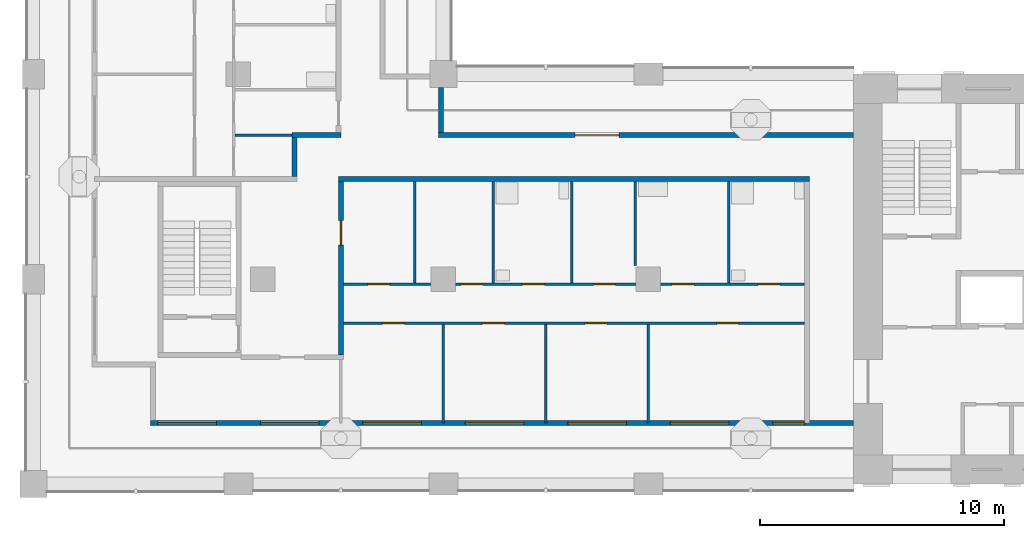
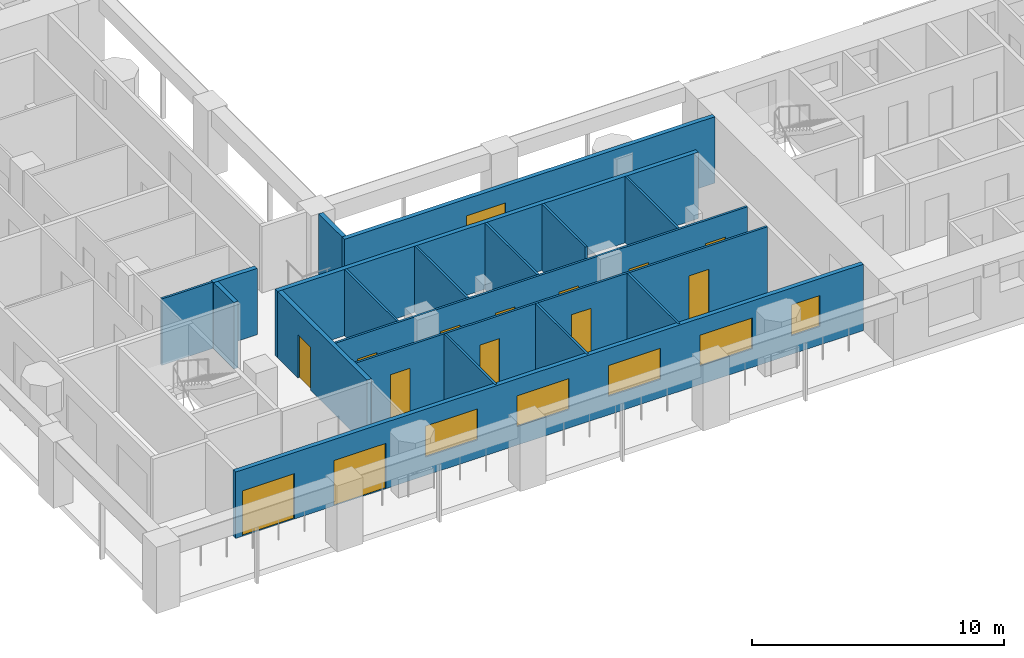
# One storey, part 2 of 13: 18 walls, 14 doors, 5 windows, 19 openings.
"""IFC4 building model written with IfcOpenShell, lengths in metres."""

from ifc_helpers import new_model, si_unit, direction, frame, frame_2d, origin, place, context, subcontext, project, spatial, rectangle, extrude, material, layer, layer_set, type_object, element, fill, save


model = new_model("IFC4")

# Units and contexts
model_context = context("Model", 3, precision=1e-05, world=origin(), true_north=direction((0.0, 1.0)))
body_context = subcontext(model_context, "Body", "Model", "MODEL_VIEW")
ifc_project = project(units=[si_unit("LENGTHUNIT", "METRE"), si_unit("AREAUNIT", "SQUARE_METRE"), si_unit("VOLUMEUNIT", "CUBIC_METRE"), si_unit("PLANEANGLEUNIT", "RADIAN"), si_unit("MASSUNIT", "GRAM", prefix="KILO")], contexts=[model_context])

# Site, building, storey
site_placement = place(None, origin())
site = spatial("IfcSite", under=ifc_project, at=site_placement, CompositionType="ELEMENT")
building_placement = place(site_placement, origin())
building = spatial("IfcBuilding", under=site, at=building_placement, Name="Vermilion Gate Residences", CompositionType="ELEMENT")
storey_placement = place(building_placement, frame((0.0, 0.0, 154.699951171875)))
storey = spatial("IfcBuildingStorey", under=building, at=storey_placement, Name="L39", CompositionType="ELEMENT", Elevation=154.699951171875)

# Wall, openings, doors, windows
ifc_material_1 = material(Name="Insulated steel stud wall with terracotta rainscreen", Category="masonry")
ifc_layer_1 = layer(ifc_material_1, 0.199951171875)
ifc_layer_set_1 = layer_set([ifc_layer_1], Name="EXTERNAL WALL 200 TERRACOTTA RAINSCREEN")
wall_type_1 = type_object("IfcWallType", Name="EXTERNAL WALL 200 TERRACOTTA RAINSCREEN", PredefinedType="SOLIDWALL", material=ifc_layer_set_1)
wall_1_placement = place(storey_placement, frame((13.199951171875, 10.89990234375, 0.0), z_axis=(0.0, 0.0, 1.0), x_axis=(1.0, 0.0, 0.0)))
wall_1 = element("IfcWall", 1, at=wall_1_placement, inside=storey, type_object=wall_type_1, Name="External wall", PredefinedType="SOLIDWALL", context=body_context, shape_type="SweptSolid", body=[
    extrude(rectangle(XDim=28.800048828125, YDim=0.199951171875, at=frame_2d((14.39990234375, 0.0))), origin(), (0.0, 0.0, 1.0), 3.219970703125),
])
opening_1_placement = place(wall_1_placement, frame((0.300048828125, 0.0, 0.0)))
opening_1 = element("IfcOpeningElement", 2, at=opening_1_placement, cuts=wall_1, Name="Opening DE39008", PredefinedType="OPENING", context=body_context, shape_type="SweptSolid", body=[
    extrude(rectangle(XDim=2.39990234375, YDim=2.199951171875, at=frame_2d((1.199951171875, 1.10009765625))), frame((0.0, 0.10986328125, 0.0), z_axis=(0.0, -1.0, 0.0), x_axis=(1.0, 0.0, 0.0)), (0.0, 0.0, 1.0), 0.219970703125),
])
opening_2_placement = place(wall_1_placement, frame((4.5, 0.0, 0.0)))
opening_2 = element("IfcOpeningElement", 3, at=opening_2_placement, cuts=wall_1, Name="Opening DE39009", PredefinedType="OPENING", context=body_context, shape_type="SweptSolid", body=[
    extrude(rectangle(XDim=2.39990234375, YDim=2.199951171875, at=frame_2d((1.199951171875, 1.10009765625))), frame((0.0, 0.10986328125, 0.0), z_axis=(0.0, -1.0, 0.0), x_axis=(1.0, 0.0, 0.0)), (0.0, 0.0, 1.0), 0.219970703125),
])
opening_3_placement = place(wall_1_placement, frame((8.699951171875, 0.0, 0.89990234375)))
opening_3 = element("IfcOpeningElement", 4, at=opening_3_placement, cuts=wall_1, Name="Opening WE39010", PredefinedType="OPENING", context=body_context, shape_type="SweptSolid", body=[
    extrude(rectangle(XDim=2.39990234375, YDim=1.5, at=frame_2d((1.199951171875, 0.75))), frame((0.0, 0.10986328125, 0.0), z_axis=(0.0, -1.0, 0.0), x_axis=(1.0, 0.0, 0.0)), (0.0, 0.0, 1.0), 0.219970703125),
])
opening_4_placement = place(wall_1_placement, frame((12.89990234375, 0.0, 0.89990234375)))
opening_4 = element("IfcOpeningElement", 5, at=opening_4_placement, cuts=wall_1, Name="Opening WE39011", PredefinedType="OPENING", context=body_context, shape_type="SweptSolid", body=[
    extrude(rectangle(XDim=2.39990234375, YDim=1.5, at=frame_2d((1.199951171875, 0.75))), frame((0.0, 0.10986328125, 0.0), z_axis=(0.0, -1.0, 0.0), x_axis=(1.0, 0.0, 0.0)), (0.0, 0.0, 1.0), 0.219970703125),
])
opening_5_placement = place(wall_1_placement, frame((17.10009765625, 0.0, 0.89990234375)))
opening_5 = element("IfcOpeningElement", 6, at=opening_5_placement, cuts=wall_1, Name="Opening WE39012", PredefinedType="OPENING", context=body_context, shape_type="SweptSolid", body=[
    extrude(rectangle(XDim=2.39990234375, YDim=1.5, at=frame_2d((1.199951171875, 0.75))), frame((0.0, 0.10986328125, 0.0), z_axis=(0.0, -1.0, 0.0), x_axis=(1.0, 0.0, 0.0)), (0.0, 0.0, 1.0), 0.219970703125),
])
opening_6_placement = place(wall_1_placement, frame((21.300048828125, 0.0, 0.89990234375)))
opening_6 = element("IfcOpeningElement", 7, at=opening_6_placement, cuts=wall_1, Name="Opening WE39013", PredefinedType="OPENING", context=body_context, shape_type="SweptSolid", body=[
    extrude(rectangle(XDim=2.39990234375, YDim=1.5, at=frame_2d((1.199951171875, 0.75))), frame((0.0, 0.10986328125, 0.0), z_axis=(0.0, -1.0, 0.0), x_axis=(1.0, 0.0, 0.0)), (0.0, 0.0, 1.0), 0.219970703125),
])
opening_7_placement = place(wall_1_placement, frame((25.5, 0.0, 0.89990234375)))
opening_7 = element("IfcOpeningElement", 8, at=opening_7_placement, cuts=wall_1, Name="Opening WE39014", PredefinedType="OPENING", context=body_context, shape_type="SweptSolid", body=[
    extrude(rectangle(XDim=1.300048828125, YDim=1.5, at=frame_2d((0.64990234375, 0.75))), frame((0.0, 0.10986328125, 0.0), z_axis=(0.0, -1.0, 0.0), x_axis=(1.0, 0.0, 0.0)), (0.0, 0.0, 1.0), 0.219970703125),
])
ifc_material_2 = material(Name="Aluminium and clear glass", Category="aluminium")
door_type_1 = type_object("IfcDoorType", Name="SLIDING GLAZED DOOR 2400 X 2200", OperationType="DOUBLE_DOOR_SLIDING", PredefinedType="DOOR", material=ifc_material_2)
door_1_placement = place(opening_1_placement, origin())
door_1 = element("IfcDoor", 9, at=door_1_placement, inside=storey, type_object=door_type_1, Name="Loggia sliding door", OperationType="DOUBLE_DOOR_SLIDING", OverallHeight=2.199951171875, OverallWidth=2.39990234375, PredefinedType="DOOR", context=body_context, shape_type="SweptSolid", body=[
    extrude(rectangle(XDim=2.39990234375, YDim=2.199951171875, at=frame_2d((1.199951171875, 1.10009765625))), frame((0.0, 0.02490234375, 0.0), z_axis=(0.0, -1.0, 0.0), x_axis=(1.0, 0.0, 0.0)), (0.0, 0.0, 1.0), 0.050048828125),
])
fill(opening_1, door_1)
door_2_placement = place(opening_2_placement, origin())
door_2 = element("IfcDoor", 10, at=door_2_placement, inside=storey, type_object=door_type_1, Name="Loggia sliding door", OperationType="DOUBLE_DOOR_SLIDING", OverallHeight=2.199951171875, OverallWidth=2.39990234375, PredefinedType="DOOR", context=body_context, shape_type="SweptSolid", body=[
    extrude(rectangle(XDim=2.39990234375, YDim=2.199951171875, at=frame_2d((1.199951171875, 1.10009765625))), frame((0.0, 0.02490234375, 0.0), z_axis=(0.0, -1.0, 0.0), x_axis=(1.0, 0.0, 0.0)), (0.0, 0.0, 1.0), 0.050048828125),
])
fill(opening_2, door_2)
ifc_material_3 = material(Name="Aluminium and clear glass", Category="aluminium")
window_type_1 = type_object("IfcWindowType", Name="WINDOW 1300 X 1500", PartitioningType="SINGLE_PANEL", PredefinedType="WINDOW", material=ifc_material_3)
window_1_placement = place(opening_7_placement, origin())
window_1 = element("IfcWindow", 11, at=window_1_placement, inside=storey, type_object=window_type_1, Name="Window", OverallHeight=1.5, OverallWidth=1.300048828125, PartitioningType="SINGLE_PANEL", PredefinedType="WINDOW", context=body_context, shape_type="SweptSolid", body=[
    extrude(rectangle(XDim=1.300048828125, YDim=1.5, at=frame_2d((0.64990234375, 0.75))), frame((0.0, 0.030029296875, 0.0), z_axis=(0.0, -1.0, 0.0), x_axis=(1.0, 0.0, 0.0)), (0.0, 0.0, 1.0), 0.06005859375),
])
fill(opening_7, window_1)
ifc_material_4 = material(Name="Aluminium and clear glass", Category="aluminium")
window_type_2 = type_object("IfcWindowType", Name="WINDOW 2400 X 1500", PartitioningType="SINGLE_PANEL", PredefinedType="WINDOW", material=ifc_material_4)
window_2_placement = place(opening_3_placement, origin())
window_2 = element("IfcWindow", 12, at=window_2_placement, inside=storey, type_object=window_type_2, Name="Window", OverallHeight=1.5, OverallWidth=2.39990234375, PartitioningType="SINGLE_PANEL", PredefinedType="WINDOW", context=body_context, shape_type="SweptSolid", body=[
    extrude(rectangle(XDim=2.39990234375, YDim=1.5, at=frame_2d((1.199951171875, 0.75))), frame((0.0, 0.030029296875, 0.0), z_axis=(0.0, -1.0, 0.0), x_axis=(1.0, 0.0, 0.0)), (0.0, 0.0, 1.0), 0.06005859375),
])
fill(opening_3, window_2)
window_3_placement = place(opening_4_placement, origin())
window_3 = element("IfcWindow", 13, at=window_3_placement, inside=storey, type_object=window_type_2, Name="Window", OverallHeight=1.5, OverallWidth=2.39990234375, PartitioningType="SINGLE_PANEL", PredefinedType="WINDOW", context=body_context, shape_type="SweptSolid", body=[
    extrude(rectangle(XDim=2.39990234375, YDim=1.5, at=frame_2d((1.199951171875, 0.75))), frame((0.0, 0.030029296875, 0.0), z_axis=(0.0, -1.0, 0.0), x_axis=(1.0, 0.0, 0.0)), (0.0, 0.0, 1.0), 0.06005859375),
])
fill(opening_4, window_3)
window_4_placement = place(opening_5_placement, origin())
window_4 = element("IfcWindow", 14, at=window_4_placement, inside=storey, type_object=window_type_2, Name="Window", OverallHeight=1.5, OverallWidth=2.39990234375, PartitioningType="SINGLE_PANEL", PredefinedType="WINDOW", context=body_context, shape_type="SweptSolid", body=[
    extrude(rectangle(XDim=2.39990234375, YDim=1.5, at=frame_2d((1.199951171875, 0.75))), frame((0.0, 0.030029296875, 0.0), z_axis=(0.0, -1.0, 0.0), x_axis=(1.0, 0.0, 0.0)), (0.0, 0.0, 1.0), 0.06005859375),
])
fill(opening_5, window_4)
window_5_placement = place(opening_6_placement, origin())
window_5 = element("IfcWindow", 15, at=window_5_placement, inside=storey, type_object=window_type_2, Name="Window", OverallHeight=1.5, OverallWidth=2.39990234375, PartitioningType="SINGLE_PANEL", PredefinedType="WINDOW", context=body_context, shape_type="SweptSolid", body=[
    extrude(rectangle(XDim=2.39990234375, YDim=1.5, at=frame_2d((1.199951171875, 0.75))), frame((0.0, 0.030029296875, 0.0), z_axis=(0.0, -1.0, 0.0), x_axis=(1.0, 0.0, 0.0)), (0.0, 0.0, 1.0), 0.06005859375),
])
fill(opening_6, window_5)

# Wall, opening, door
wall_2_placement = place(storey_placement, frame((42.0, 22.699951171875, 0.0), z_axis=(0.0, 0.0, 1.0), x_axis=(-1.0, 0.0, 0.0)))
wall_2 = element("IfcWall", 16, at=wall_2_placement, inside=storey, type_object=wall_type_1, Name="External wall", PredefinedType="SOLIDWALL", context=body_context, shape_type="SweptSolid", body=[
    extrude(rectangle(XDim=17.0, YDim=0.199951171875, at=frame_2d((8.5, 0.0))), origin(), (0.0, 0.0, 1.0), 3.219970703125),
])
opening_8_placement = place(wall_2_placement, frame((9.60009765625, 0.0, 0.0)))
opening_8 = element("IfcOpeningElement", 17, at=opening_8_placement, cuts=wall_2, Name="Opening DE39020", PredefinedType="OPENING", context=body_context, shape_type="SweptSolid", body=[
    extrude(rectangle(XDim=1.800048828125, YDim=2.39990234375, at=frame_2d((0.89990234375, 1.199951171875))), frame((0.0, 0.10986328125, 0.0), z_axis=(0.0, -1.0, 0.0), x_axis=(1.0, 0.0, 0.0)), (0.0, 0.0, 1.0), 0.219970703125),
])
ifc_material_5 = material(Name="Aluminium and clear glass", Category="aluminium")
door_type_2 = type_object("IfcDoorType", Name="GLAZED EXTERNAL DOOR 1800 X 2400", OperationType="DOUBLE_DOOR_SINGLE_SWING", PredefinedType="DOOR", material=ifc_material_5)
door_3_placement = place(opening_8_placement, frame((1.800048828125, 0.0, 0.0), z_axis=(0.0, 0.0, 1.0), x_axis=(-1.0, 0.0, 0.0)))
door_3 = element("IfcDoor", 18, at=door_3_placement, inside=storey, type_object=door_type_2, Name="Gallery door", OperationType="DOUBLE_DOOR_SINGLE_SWING", OverallHeight=2.39990234375, OverallWidth=1.800048828125, PredefinedType="DOOR", context=body_context, shape_type="SweptSolid", body=[
    extrude(rectangle(XDim=1.800048828125, YDim=2.39990234375, at=frame_2d((0.89990234375, 1.199951171875))), frame((0.0, 0.02490234375, 0.0), z_axis=(0.0, -1.0, 0.0), x_axis=(1.0, 0.0, 0.0)), (0.0, 0.0, 1.0), 0.050048828125),
])
fill(opening_8, door_3)

# Wall
wall_3_placement = place(storey_placement, frame((25.10009765625, 22.800048828125, 0.0), z_axis=(0.0, 0.0, 1.0), x_axis=(0.0, 1.0, 0.0)))
element("IfcWall", 19, at=wall_3_placement, inside=storey, type_object=wall_type_1, Name="External wall", PredefinedType="SOLIDWALL", context=body_context, shape_type="SweptSolid", body=[
    extrude(rectangle(XDim=1.849853515625, YDim=0.199951171875, at=frame_2d((0.9248046875, 0.0))), origin(), (0.0, 0.0, 1.0), 3.219970703125),
])

# Wall, openings, doors
ifc_material_6 = material(Name="Plasterboard on steel studs", Category="steel")
ifc_layer_2 = layer(ifc_material_6, 0.10009765625)
ifc_layer_set_2 = layer_set([ifc_layer_2], Name="PARTITION 100")
wall_type_2 = type_object("IfcWallType", Name="PARTITION 100", PredefinedType="PARTITIONING", material=ifc_layer_set_2)
wall_4_placement = place(storey_placement, frame((21.10009765625, 15.0, 0.0), z_axis=(0.0, 0.0, 1.0), x_axis=(1.0, 0.0, 0.0)))
wall_4 = element("IfcWall", 20, at=wall_4_placement, inside=storey, type_object=wall_type_2, Name="Partition", PredefinedType="PARTITIONING", context=body_context, shape_type="SweptSolid", body=[
    extrude(rectangle(XDim=18.89990234375, YDim=0.10009765625, at=frame_2d((9.449951171875, 0.0))), origin(), (0.0, 0.0, 1.0), 3.219970703125),
])
opening_9_placement = place(wall_4_placement, frame((1.60009765625, 0.0, 0.0)))
opening_9 = element("IfcOpeningElement", 21, at=opening_9_placement, cuts=wall_4, Name="Opening DA37002", PredefinedType="OPENING", context=body_context, shape_type="SweptSolid", body=[
    extrude(rectangle(XDim=0.89990234375, YDim=2.10009765625, at=frame_2d((0.449951171875, 1.050048828125))), frame((0.0, 0.06005859375, 0.0), z_axis=(0.0, -1.0, 0.0), x_axis=(1.0, 0.0, 0.0)), (0.0, 0.0, 1.0), 0.1201171875),
])
opening_10_placement = place(wall_4_placement, frame((5.699951171875, 0.0, 0.0)))
opening_10 = element("IfcOpeningElement", 22, at=opening_10_placement, cuts=wall_4, Name="Opening DA37003", PredefinedType="OPENING", context=body_context, shape_type="SweptSolid", body=[
    extrude(rectangle(XDim=0.89990234375, YDim=2.10009765625, at=frame_2d((0.449951171875, 1.050048828125))), frame((0.0, 0.06005859375, 0.0), z_axis=(0.0, -1.0, 0.0), x_axis=(1.0, 0.0, 0.0)), (0.0, 0.0, 1.0), 0.1201171875),
])
opening_11_placement = place(wall_4_placement, frame((9.89990234375, 0.0, 0.0)))
opening_11 = element("IfcOpeningElement", 23, at=opening_11_placement, cuts=wall_4, Name="Opening DA37004", PredefinedType="OPENING", context=body_context, shape_type="SweptSolid", body=[
    extrude(rectangle(XDim=0.89990234375, YDim=2.10009765625, at=frame_2d((0.449951171875, 1.050048828125))), frame((0.0, 0.06005859375, 0.0), z_axis=(0.0, -1.0, 0.0), x_axis=(1.0, 0.0, 0.0)), (0.0, 0.0, 1.0), 0.1201171875),
])
opening_12_placement = place(wall_4_placement, frame((15.300048828125, 0.0, 0.0)))
opening_12 = element("IfcOpeningElement", 24, at=opening_12_placement, cuts=wall_4, Name="Opening DA37005", PredefinedType="OPENING", context=body_context, shape_type="SweptSolid", body=[
    extrude(rectangle(XDim=0.89990234375, YDim=2.10009765625, at=frame_2d((0.449951171875, 1.050048828125))), frame((0.0, 0.06005859375, 0.0), z_axis=(0.0, -1.0, 0.0), x_axis=(1.0, 0.0, 0.0)), (0.0, 0.0, 1.0), 0.1201171875),
])
ifc_material_7 = material(Name="Timber", Category="wood")
door_type_3 = type_object("IfcDoorType", Name="INTERIOR DOOR 900 X 2100", OperationType="SINGLE_SWING_LEFT", PredefinedType="DOOR", material=ifc_material_7)
door_4_placement = place(opening_9_placement, frame((0.89990234375, 0.0, 0.0), z_axis=(0.0, 0.0, 1.0), x_axis=(-1.0, 0.0, 0.0)))
door_4 = element("IfcDoor", 25, at=door_4_placement, inside=storey, type_object=door_type_3, Name="Interior door", OperationType="SINGLE_SWING_LEFT", OverallHeight=2.10009765625, OverallWidth=0.89990234375, PredefinedType="DOOR", context=body_context, shape_type="SweptSolid", body=[
    extrude(rectangle(XDim=0.89990234375, YDim=2.10009765625, at=frame_2d((0.449951171875, 1.050048828125))), frame((0.0, 0.02490234375, 0.0), z_axis=(0.0, -1.0, 0.0), x_axis=(1.0, 0.0, 0.0)), (0.0, 0.0, 1.0), 0.050048828125),
])
fill(opening_9, door_4)
door_5_placement = place(opening_10_placement, frame((0.89990234375, 0.0, 0.0), z_axis=(0.0, 0.0, 1.0), x_axis=(-1.0, 0.0, 0.0)))
door_5 = element("IfcDoor", 26, at=door_5_placement, inside=storey, type_object=door_type_3, Name="Interior door", OperationType="SINGLE_SWING_RIGHT", OverallHeight=2.10009765625, OverallWidth=0.89990234375, PredefinedType="DOOR", context=body_context, shape_type="SweptSolid", body=[
    extrude(rectangle(XDim=0.89990234375, YDim=2.10009765625, at=frame_2d((0.449951171875, 1.050048828125))), frame((0.0, 0.02490234375, 0.0), z_axis=(0.0, -1.0, 0.0), x_axis=(1.0, 0.0, 0.0)), (0.0, 0.0, 1.0), 0.050048828125),
])
fill(opening_10, door_5)
door_6_placement = place(opening_11_placement, frame((0.89990234375, 0.0, 0.0), z_axis=(0.0, 0.0, 1.0), x_axis=(-1.0, 0.0, 0.0)))
door_6 = element("IfcDoor", 27, at=door_6_placement, inside=storey, type_object=door_type_3, Name="Interior door", OperationType="SINGLE_SWING_RIGHT", OverallHeight=2.10009765625, OverallWidth=0.89990234375, PredefinedType="DOOR", context=body_context, shape_type="SweptSolid", body=[
    extrude(rectangle(XDim=0.89990234375, YDim=2.10009765625, at=frame_2d((0.449951171875, 1.050048828125))), frame((0.0, 0.02490234375, 0.0), z_axis=(0.0, -1.0, 0.0), x_axis=(1.0, 0.0, 0.0)), (0.0, 0.0, 1.0), 0.050048828125),
])
fill(opening_11, door_6)
door_7_placement = place(opening_12_placement, frame((0.89990234375, 0.0, 0.0), z_axis=(0.0, 0.0, 1.0), x_axis=(-1.0, 0.0, 0.0)))
door_7 = element("IfcDoor", 28, at=door_7_placement, inside=storey, type_object=door_type_3, Name="Interior door", OperationType="SINGLE_SWING_LEFT", OverallHeight=2.10009765625, OverallWidth=0.89990234375, PredefinedType="DOOR", context=body_context, shape_type="SweptSolid", body=[
    extrude(rectangle(XDim=0.89990234375, YDim=2.10009765625, at=frame_2d((0.449951171875, 1.050048828125))), frame((0.0, 0.02490234375, 0.0), z_axis=(0.0, -1.0, 0.0), x_axis=(1.0, 0.0, 0.0)), (0.0, 0.0, 1.0), 0.050048828125),
])
fill(opening_12, door_7)

wall_5_placement = place(storey_placement, frame((21.10009765625, 16.60009765625, 0.0), z_axis=(0.0, 0.0, 1.0), x_axis=(1.0, 0.0, 0.0)))
wall_5 = element("IfcWall", 29, at=wall_5_placement, inside=storey, type_object=wall_type_2, Name="Partition", PredefinedType="PARTITIONING", context=body_context, shape_type="SweptSolid", body=[
    extrude(rectangle(XDim=18.89990234375, YDim=0.10009765625, at=frame_2d((9.449951171875, 0.0))), origin(), (0.0, 0.0, 1.0), 3.219970703125),
])
opening_13_placement = place(wall_5_placement, frame((1.0, 0.0, 0.0)))
opening_13 = element("IfcOpeningElement", 30, at=opening_13_placement, cuts=wall_5, Name="Opening DA37006", PredefinedType="OPENING", context=body_context, shape_type="SweptSolid", body=[
    extrude(rectangle(XDim=0.89990234375, YDim=2.10009765625, at=frame_2d((0.449951171875, 1.050048828125))), frame((0.0, 0.06005859375, 0.0), z_axis=(0.0, -1.0, 0.0), x_axis=(1.0, 0.0, 0.0)), (0.0, 0.0, 1.0), 0.1201171875),
])
opening_14_placement = place(wall_5_placement, frame((4.81689453125, 0.0, 0.0)))
opening_14 = element("IfcOpeningElement", 31, at=opening_14_placement, cuts=wall_5, Name="Opening DA37007", PredefinedType="OPENING", context=body_context, shape_type="SweptSolid", body=[
    extrude(rectangle(XDim=0.89990234375, YDim=2.10009765625, at=frame_2d((0.449951171875, 1.050048828125))), frame((0.0, 0.06005859375, 0.0), z_axis=(0.0, -1.0, 0.0), x_axis=(1.0, 0.0, 0.0)), (0.0, 0.0, 1.0), 0.1201171875),
])
opening_15_placement = place(wall_5_placement, frame((7.3330078125, 0.0, 0.0)))
opening_15 = element("IfcOpeningElement", 32, at=opening_15_placement, cuts=wall_5, Name="Opening DA37008", PredefinedType="OPENING", context=body_context, shape_type="SweptSolid", body=[
    extrude(rectangle(XDim=0.89990234375, YDim=2.10009765625, at=frame_2d((0.449951171875, 1.050048828125))), frame((0.0, 0.06005859375, 0.0), z_axis=(0.0, -1.0, 0.0), x_axis=(1.0, 0.0, 0.0)), (0.0, 0.0, 1.0), 0.1201171875),
])
opening_16_placement = place(wall_5_placement, frame((10.25, 0.0, 0.0)))
opening_16 = element("IfcOpeningElement", 33, at=opening_16_placement, cuts=wall_5, Name="Opening DA37009", PredefinedType="OPENING", context=body_context, shape_type="SweptSolid", body=[
    extrude(rectangle(XDim=0.89990234375, YDim=2.10009765625, at=frame_2d((0.449951171875, 1.050048828125))), frame((0.0, 0.06005859375, 0.0), z_axis=(0.0, -1.0, 0.0), x_axis=(1.0, 0.0, 0.0)), (0.0, 0.0, 1.0), 0.1201171875),
])
opening_17_placement = place(wall_5_placement, frame((13.467041015625, 0.0, 0.0)))
opening_17 = element("IfcOpeningElement", 34, at=opening_17_placement, cuts=wall_5, Name="Opening DA37010", PredefinedType="OPENING", context=body_context, shape_type="SweptSolid", body=[
    extrude(rectangle(XDim=0.89990234375, YDim=2.10009765625, at=frame_2d((0.449951171875, 1.050048828125))), frame((0.0, 0.06005859375, 0.0), z_axis=(0.0, -1.0, 0.0), x_axis=(1.0, 0.0, 0.0)), (0.0, 0.0, 1.0), 0.1201171875),
])
opening_18_placement = place(wall_5_placement, frame((16.98388671875, 0.0, 0.0)))
opening_18 = element("IfcOpeningElement", 35, at=opening_18_placement, cuts=wall_5, Name="Opening DA37011", PredefinedType="OPENING", context=body_context, shape_type="SweptSolid", body=[
    extrude(rectangle(XDim=0.89990234375, YDim=2.10009765625, at=frame_2d((0.449951171875, 1.050048828125))), frame((0.0, 0.06005859375, 0.0), z_axis=(0.0, -1.0, 0.0), x_axis=(1.0, 0.0, 0.0)), (0.0, 0.0, 1.0), 0.1201171875),
])
door_8_placement = place(opening_13_placement, origin())
door_8 = element("IfcDoor", 36, at=door_8_placement, inside=storey, type_object=door_type_3, Name="Interior door", OperationType="SINGLE_SWING_RIGHT", OverallHeight=2.10009765625, OverallWidth=0.89990234375, PredefinedType="DOOR", context=body_context, shape_type="SweptSolid", body=[
    extrude(rectangle(XDim=0.89990234375, YDim=2.10009765625, at=frame_2d((0.449951171875, 1.050048828125))), frame((0.0, 0.02490234375, 0.0), z_axis=(0.0, -1.0, 0.0), x_axis=(1.0, 0.0, 0.0)), (0.0, 0.0, 1.0), 0.050048828125),
])
fill(opening_13, door_8)
door_9_placement = place(opening_14_placement, origin())
door_9 = element("IfcDoor", 37, at=door_9_placement, inside=storey, type_object=door_type_3, Name="Interior door", OperationType="SINGLE_SWING_LEFT", OverallHeight=2.10009765625, OverallWidth=0.89990234375, PredefinedType="DOOR", context=body_context, shape_type="SweptSolid", body=[
    extrude(rectangle(XDim=0.89990234375, YDim=2.10009765625, at=frame_2d((0.449951171875, 1.050048828125))), frame((0.0, 0.02490234375, 0.0), z_axis=(0.0, -1.0, 0.0), x_axis=(1.0, 0.0, 0.0)), (0.0, 0.0, 1.0), 0.050048828125),
])
fill(opening_14, door_9)
door_10_placement = place(opening_15_placement, origin())
door_10 = element("IfcDoor", 38, at=door_10_placement, inside=storey, type_object=door_type_3, Name="Interior door", OperationType="SINGLE_SWING_LEFT", OverallHeight=2.10009765625, OverallWidth=0.89990234375, PredefinedType="DOOR", context=body_context, shape_type="SweptSolid", body=[
    extrude(rectangle(XDim=0.89990234375, YDim=2.10009765625, at=frame_2d((0.449951171875, 1.050048828125))), frame((0.0, 0.02490234375, 0.0), z_axis=(0.0, -1.0, 0.0), x_axis=(1.0, 0.0, 0.0)), (0.0, 0.0, 1.0), 0.050048828125),
])
fill(opening_15, door_10)
door_11_placement = place(opening_16_placement, origin())
door_11 = element("IfcDoor", 39, at=door_11_placement, inside=storey, type_object=door_type_3, Name="Interior door", OperationType="SINGLE_SWING_LEFT", OverallHeight=2.10009765625, OverallWidth=0.89990234375, PredefinedType="DOOR", context=body_context, shape_type="SweptSolid", body=[
    extrude(rectangle(XDim=0.89990234375, YDim=2.10009765625, at=frame_2d((0.449951171875, 1.050048828125))), frame((0.0, 0.02490234375, 0.0), z_axis=(0.0, -1.0, 0.0), x_axis=(1.0, 0.0, 0.0)), (0.0, 0.0, 1.0), 0.050048828125),
])
fill(opening_16, door_11)
door_12_placement = place(opening_17_placement, origin())
door_12 = element("IfcDoor", 40, at=door_12_placement, inside=storey, type_object=door_type_3, Name="Interior door", OperationType="SINGLE_SWING_LEFT", OverallHeight=2.10009765625, OverallWidth=0.89990234375, PredefinedType="DOOR", context=body_context, shape_type="SweptSolid", body=[
    extrude(rectangle(XDim=0.89990234375, YDim=2.10009765625, at=frame_2d((0.449951171875, 1.050048828125))), frame((0.0, 0.02490234375, 0.0), z_axis=(0.0, -1.0, 0.0), x_axis=(1.0, 0.0, 0.0)), (0.0, 0.0, 1.0), 0.050048828125),
])
fill(opening_17, door_12)
door_13_placement = place(opening_18_placement, origin())
door_13 = element("IfcDoor", 41, at=door_13_placement, inside=storey, type_object=door_type_3, Name="Interior door", OperationType="SINGLE_SWING_LEFT", OverallHeight=2.10009765625, OverallWidth=0.89990234375, PredefinedType="DOOR", context=body_context, shape_type="SweptSolid", body=[
    extrude(rectangle(XDim=0.89990234375, YDim=2.10009765625, at=frame_2d((0.449951171875, 1.050048828125))), frame((0.0, 0.02490234375, 0.0), z_axis=(0.0, -1.0, 0.0), x_axis=(1.0, 0.0, 0.0)), (0.0, 0.0, 1.0), 0.050048828125),
])
fill(opening_18, door_13)

# Walls
wall_6_placement = place(storey_placement, frame((16.64990234375, 22.699951171875, 0.0), z_axis=(0.0, 0.0, 1.0), x_axis=(1.0, 0.0, 0.0)))
element("IfcWall", 42, at=wall_6_placement, inside=storey, type_object=wall_type_2, Name="Partition", PredefinedType="PARTITIONING", context=body_context, shape_type="SweptSolid", body=[
    extrude(rectangle(XDim=2.35009765625, YDim=0.10009765625, at=frame_2d((1.175048828125, 0.0))), origin(), (0.0, 0.0, 1.0), 3.219970703125),
])
wall_7_placement = place(storey_placement, frame((24.01708984375, 16.64990234375, 0.0), z_axis=(0.0, 0.0, 1.0), x_axis=(0.0, 1.0, 0.0)))
element("IfcWall", 43, at=wall_7_placement, inside=storey, type_object=wall_type_2, Name="Partition", PredefinedType="PARTITIONING", context=body_context, shape_type="SweptSolid", body=[
    extrude(rectangle(XDim=4.150146484375, YDim=0.10009765625, at=frame_2d((2.0751953125, 0.0))), origin(), (0.0, 0.0, 1.0), 3.219970703125),
])
wall_8_placement = place(storey_placement, frame((25.199951171875, 10.89990234375, 0.0), z_axis=(0.0, 0.0, 1.0), x_axis=(0.0, 1.0, 0.0)))
element("IfcWall", 44, at=wall_8_placement, inside=storey, type_object=wall_type_2, Name="Partition", PredefinedType="PARTITIONING", context=body_context, shape_type="SweptSolid", body=[
    extrude(rectangle(XDim=4.050048828125, YDim=0.10009765625, at=frame_2d((2.02490234375, 0.0))), origin(), (0.0, 0.0, 1.0), 3.219970703125),
])
wall_9_placement = place(storey_placement, frame((27.23291015625, 16.64990234375, 0.0), z_axis=(0.0, 0.0, 1.0), x_axis=(0.0, 1.0, 0.0)))
element("IfcWall", 45, at=wall_9_placement, inside=storey, type_object=wall_type_2, Name="Partition", PredefinedType="PARTITIONING", context=body_context, shape_type="SweptSolid", body=[
    extrude(rectangle(XDim=4.150146484375, YDim=0.10009765625, at=frame_2d((2.0751953125, 0.0))), origin(), (0.0, 0.0, 1.0), 3.219970703125),
])
wall_10_placement = place(storey_placement, frame((29.39990234375, 10.89990234375, 0.0), z_axis=(0.0, 0.0, 1.0), x_axis=(0.0, 1.0, 0.0)))
element("IfcWall", 46, at=wall_10_placement, inside=storey, type_object=wall_type_2, Name="Partition", PredefinedType="PARTITIONING", context=body_context, shape_type="SweptSolid", body=[
    extrude(rectangle(XDim=4.050048828125, YDim=0.10009765625, at=frame_2d((2.02490234375, 0.0))), origin(), (0.0, 0.0, 1.0), 3.219970703125),
])
wall_11_placement = place(storey_placement, frame((30.449951171875, 16.64990234375, 0.0), z_axis=(0.0, 0.0, 1.0), x_axis=(0.0, 1.0, 0.0)))
element("IfcWall", 47, at=wall_11_placement, inside=storey, type_object=wall_type_2, Name="Partition", PredefinedType="PARTITIONING", context=body_context, shape_type="SweptSolid", body=[
    extrude(rectangle(XDim=4.150146484375, YDim=0.10009765625, at=frame_2d((2.0751953125, 0.0))), origin(), (0.0, 0.0, 1.0), 3.219970703125),
])
wall_12_placement = place(storey_placement, frame((33.06689453125, 17.35009765625, 0.0), z_axis=(0.0, 0.0, 1.0), x_axis=(0.0, 1.0, 0.0)))
element("IfcWall", 48, at=wall_12_placement, inside=storey, type_object=wall_type_2, Name="Partition", PredefinedType="PARTITIONING", context=body_context, shape_type="SweptSolid", body=[
    extrude(rectangle(XDim=3.449951171875, YDim=0.10009765625, at=frame_2d((1.72509765625, 0.0))), origin(), (0.0, 0.0, 1.0), 3.219970703125),
])
wall_13_placement = place(storey_placement, frame((33.60009765625, 10.89990234375, 0.0), z_axis=(0.0, 0.0, 1.0), x_axis=(0.0, 1.0, 0.0)))
element("IfcWall", 49, at=wall_13_placement, inside=storey, type_object=wall_type_2, Name="Partition", PredefinedType="PARTITIONING", context=body_context, shape_type="SweptSolid", body=[
    extrude(rectangle(XDim=4.050048828125, YDim=0.10009765625, at=frame_2d((2.02490234375, 0.0))), origin(), (0.0, 0.0, 1.0), 3.219970703125),
])
wall_14_placement = place(storey_placement, frame((36.884033203125, 16.64990234375, 0.0), z_axis=(0.0, 0.0, 1.0), x_axis=(0.0, 1.0, 0.0)))
element("IfcWall", 50, at=wall_14_placement, inside=storey, type_object=wall_type_2, Name="Partition", PredefinedType="PARTITIONING", context=body_context, shape_type="SweptSolid", body=[
    extrude(rectangle(XDim=4.150146484375, YDim=0.10009765625, at=frame_2d((2.0751953125, 0.0))), origin(), (0.0, 0.0, 1.0), 3.219970703125),
])
ifc_material_8 = material(Name="Fire-rated plasterboard on steel studs", Category="steel")
ifc_layer_3 = layer(ifc_material_8, 0.199951171875)
ifc_layer_set_3 = layer_set([ifc_layer_3], Name="PARTY WALL 200 EI 120")
wall_type_3 = type_object("IfcWallType", Name="PARTY WALL 200 EI 120", PredefinedType="PARTITIONING", material=ifc_layer_set_3)
wall_15_placement = place(storey_placement, frame((20.89990234375, 20.89990234375, 0.0), z_axis=(0.0, 0.0, 1.0), x_axis=(1.0, 0.0, 0.0)))
element("IfcWall", 51, at=wall_15_placement, inside=storey, type_object=wall_type_3, Name="Party and corridor wall", PredefinedType="PARTITIONING", context=body_context, shape_type="SweptSolid", body=[
    extrude(rectangle(XDim=19.300048828125, YDim=0.199951171875, at=frame_2d((9.64990234375, 0.0))), origin(), (0.0, 0.0, 1.0), 3.219970703125),
])
wall_16_placement = place(storey_placement, frame((19.0, 22.699951171875, 0.0), z_axis=(0.0, 0.0, 1.0), x_axis=(1.0, 0.0, 0.0)))
element("IfcWall", 52, at=wall_16_placement, inside=storey, type_object=wall_type_3, Name="Party and corridor wall", PredefinedType="PARTITIONING", context=body_context, shape_type="SweptSolid", body=[
    extrude(rectangle(XDim=2.0, YDim=0.199951171875, at=frame_2d((1.0, 0.0))), origin(), (0.0, 0.0, 1.0), 3.219970703125),
])
wall_17_placement = place(storey_placement, frame((19.10009765625, 21.0, 0.0), z_axis=(0.0, 0.0, 1.0), x_axis=(0.0, 1.0, 0.0)))
element("IfcWall", 53, at=wall_17_placement, inside=storey, type_object=wall_type_3, Name="Party and corridor wall", PredefinedType="PARTITIONING", context=body_context, shape_type="SweptSolid", body=[
    extrude(rectangle(XDim=1.60009765625, YDim=0.199951171875, at=frame_2d((0.800048828125, 0.0))), origin(), (0.0, 0.0, 1.0), 3.219970703125),
])

# Wall, opening, door
wall_18_placement = place(storey_placement, frame((21.0, 13.699951171875, 0.0), z_axis=(0.0, 0.0, 1.0), x_axis=(0.0, 1.0, 0.0)))
wall_18 = element("IfcWall", 54, at=wall_18_placement, inside=storey, type_object=wall_type_3, Name="Party and corridor wall", PredefinedType="PARTITIONING", context=body_context, shape_type="SweptSolid", body=[
    extrude(rectangle(XDim=7.10009765625, YDim=0.199951171875, at=frame_2d((3.550048828125, 0.0))), origin(), (0.0, 0.0, 1.0), 3.219970703125),
])
opening_19_placement = place(wall_18_placement, frame((4.5, 0.0, 0.0)))
opening_19 = element("IfcOpeningElement", 55, at=opening_19_placement, cuts=wall_18, Name="Opening DA37025", PredefinedType="OPENING", context=body_context, shape_type="SweptSolid", body=[
    extrude(rectangle(XDim=1.0, YDim=2.10009765625, at=frame_2d((0.5, 1.050048828125))), frame((0.0, 0.10986328125, 0.0), z_axis=(0.0, -1.0, 0.0), x_axis=(1.0, 0.0, 0.0)), (0.0, 0.0, 1.0), 0.219970703125),
])
ifc_material_9 = material(Name="Steel", Category="steel")
door_type_4 = type_object("IfcDoorType", Name="ENTRANCE DOOR 1000 X 2100 FD30", OperationType="SINGLE_SWING_LEFT", PredefinedType="DOOR", material=ifc_material_9)
door_14_placement = place(opening_19_placement, frame((1.0, 0.0, 0.0), z_axis=(0.0, 0.0, 1.0), x_axis=(-1.0, 0.0, 0.0)))
door_14 = element("IfcDoor", 56, at=door_14_placement, inside=storey, type_object=door_type_4, Name="Entrance door", OperationType="SINGLE_SWING_RIGHT", OverallHeight=2.10009765625, OverallWidth=1.0, PredefinedType="DOOR", context=body_context, shape_type="SweptSolid", body=[
    extrude(rectangle(XDim=1.0, YDim=2.10009765625, at=frame_2d((0.5, 1.050048828125))), frame((0.0, 0.02490234375, 0.0), z_axis=(0.0, -1.0, 0.0), x_axis=(1.0, 0.0, 0.0)), (0.0, 0.0, 1.0), 0.050048828125),
])
fill(opening_19, door_14)

save(model, "model.ifc")
